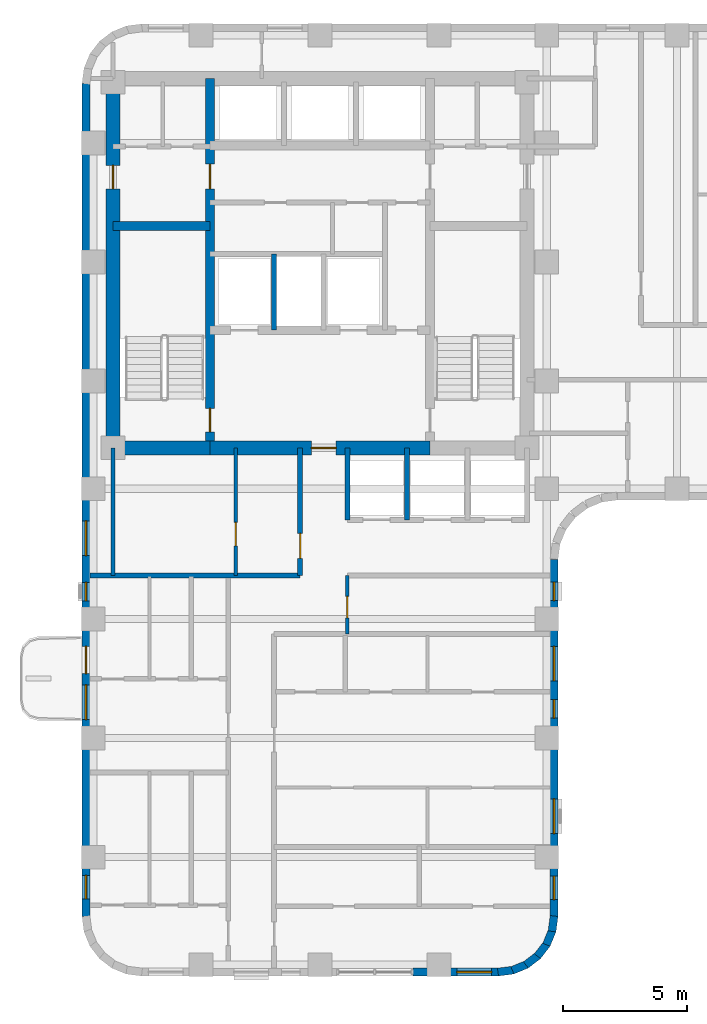
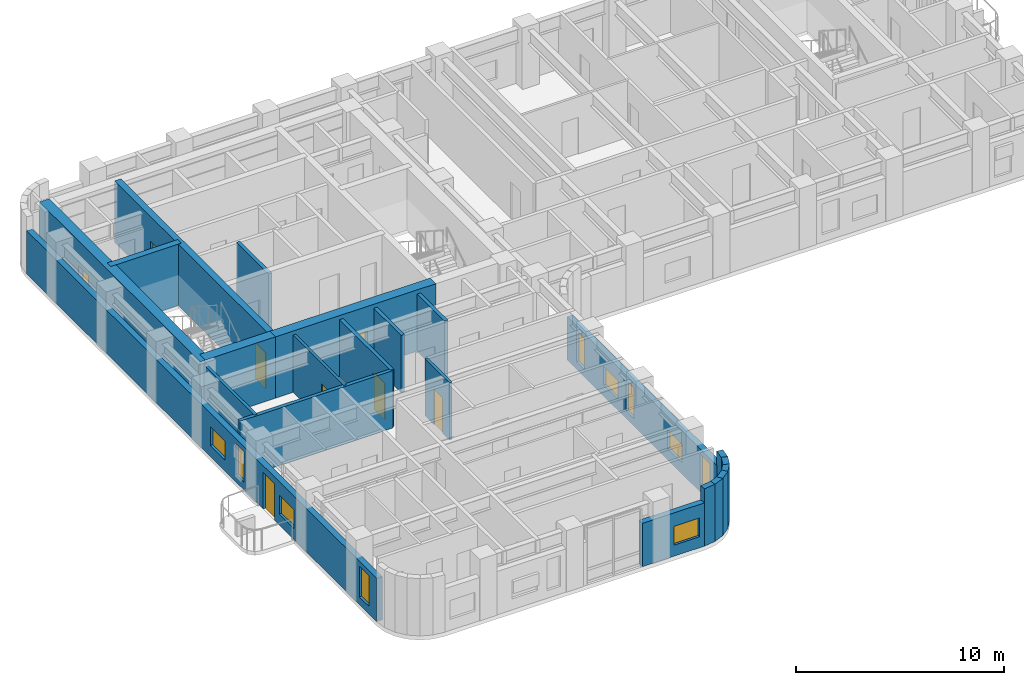
# One storey, part 5 of 11: 22 walls, 10 windows, 8 doors, 18 openings.
"""IFC4 building model written with IfcOpenShell, lengths in metres."""

import ifcopenshell
import ifcopenshell.guid

model = None  # the IFC model being written
_history = None  # IfcOwnerHistory: only IFC2X3 demands one
_inside = {}  # id of a spatial element -> (the spatial element, [elements in it])
_under = {}  # id of a project, library or spatial element -> (it, [spatial elements below it])
_declared = {}  # id of a project -> (the project, [libraries it declares])
_typed = {}  # id of a type object -> (the type object, [elements of that type])
_made_of = {}  # id of a material, layer set ... -> (it, [elements and type objects made of it])


def new_model(schema):
    """Start an empty IFC model of exactly this schema.

    Asked for "IFC4X3", IfcOpenShell would pick the latest addendum, in which some entities
    have other attributes; the version numbers below select the first issue.
    IFC2X3 requires an IfcOwnerHistory on every rooted entity: one is made here for all.
    """
    global model, _history
    if schema == "IFC4X3":
        model = ifcopenshell.file(schema_version=(4, 3, 0, 0))
    else:
        model = ifcopenshell.file(schema=schema)
    _inside.clear()
    _under.clear()
    _declared.clear()
    _typed.clear()
    _made_of.clear()
    _history = None
    if model.schema == "IFC2X3":
        org = make("IfcOrganization", Name="unknown")
        user = make(
            "IfcPersonAndOrganization",
            ThePerson=make("IfcPerson", FamilyName="unknown"),
            TheOrganization=org,
        )
        app = make(
            "IfcApplication",
            ApplicationDeveloper=org,
            Version="unknown",
            ApplicationFullName="unknown",
            ApplicationIdentifier="unknown",
        )
        _history = make(
            "IfcOwnerHistory",
            OwningUser=user,
            OwningApplication=app,
            ChangeAction="ADDED",
            CreationDate=0,
        )
    return model


def make(cls, **values):
    """One entity of the class cls with the attributes given. An attribute that is None is left unset."""
    return model.create_entity(
        cls, **{name: value for name, value in values.items() if value is not None}
    )


def rooted(cls, **values):
    """An entity with a GlobalId (a new one), such as an element, a storey or a relation."""
    return make(cls, GlobalId=ifcopenshell.guid.new(), OwnerHistory=_history, **values)


def si_unit(unit_type, name, prefix=None):
    """IfcSIUnit, for example si_unit("LENGTHUNIT", "METRE", prefix="MILLI")."""
    return make("IfcSIUnit", UnitType=unit_type, Prefix=prefix, Name=name)


def assignment(units):
    """IfcUnitAssignment: the units of a project."""
    return None if units is None else make("IfcUnitAssignment", Units=units)


def point(xyz):
    """IfcCartesianPoint."""
    return None if xyz is None else make("IfcCartesianPoint", Coordinates=xyz)


def direction(xyz):
    """IfcDirection."""
    return None if xyz is None else make("IfcDirection", DirectionRatios=xyz)


def frame(location, z_axis=None, x_axis=None):
    """IfcAxis2Placement3D, a coordinate frame: its origin and axes. An axis left out is left unset."""
    return make(
        "IfcAxis2Placement3D",
        Location=point(location),
        Axis=direction(z_axis),
        RefDirection=direction(x_axis),
    )


def frame_2d(location, x_axis=None):
    """IfcAxis2Placement2D, a coordinate frame in the plane: its origin and x axis."""
    return make(
        "IfcAxis2Placement2D", Location=point(location), RefDirection=direction(x_axis)
    )


def origin():
    """The frame at (0, 0, 0) with its axes left unset."""
    return frame((0.0, 0.0, 0.0))


def place(relative_to, where):
    """IfcLocalPlacement: puts the frame where relative to a parent placement (None: the world)."""
    return make(
        "IfcLocalPlacement", PlacementRelTo=relative_to, RelativePlacement=where
    )


def context(
    kind, dimensions, precision=None, world=None, true_north=None, identifier=None
):
    """IfcGeometricRepresentationContext, for example the 3D "Model" context."""
    return make(
        "IfcGeometricRepresentationContext",
        ContextIdentifier=identifier,
        ContextType=kind,
        CoordinateSpaceDimension=dimensions,
        Precision=precision,
        WorldCoordinateSystem=world,
        TrueNorth=true_north,
    )


def subcontext(parent, identifier, kind, view, scale=None):
    """IfcGeometricRepresentationSubContext, for example "Body" below "Model"."""
    return make(
        "IfcGeometricRepresentationSubContext",
        ContextIdentifier=identifier,
        ContextType=kind,
        ParentContext=parent,
        TargetScale=scale,
        TargetView=view,
    )


def project(units=None, contexts=None):
    """IfcProject with its units and contexts."""
    return rooted(
        "IfcProject",
        Name="project",
        RepresentationContexts=contexts,
        UnitsInContext=assignment(units),
    )


def spatial(cls, under=None, at=None, **own):
    """A site, building, storey or space (cls), placed at a placement, below another one or the project."""
    s = rooted(cls, ObjectPlacement=at, **own)
    if under is not None:
        _under.setdefault(under.id(), (under, []))[1].append(s)
    return s


def profile(cls, at=None, kind="AREA", **sizes):
    """A parametric profile (cls). Its sizes go by their IFC names, for example OverallWidth=200.0."""
    return make(cls, ProfileType=kind, Position=at, **sizes)


def rectangle(**sizes):
    """IfcRectangleProfileDef."""
    return profile("IfcRectangleProfileDef", **sizes)


def extrude(swept, where, along, depth):
    """IfcExtrudedAreaSolid: the profile swept, set in the frame where, extruded along a direction by depth."""
    return make(
        "IfcExtrudedAreaSolid",
        SweptArea=swept,
        Position=where,
        ExtrudedDirection=direction(along),
        Depth=depth,
    )


def shape(context_of_items, identifier, shape_type, items):
    """IfcShapeRepresentation: the items that make up one representation, for example the "Body"."""
    return make(
        "IfcShapeRepresentation",
        ContextOfItems=context_of_items,
        RepresentationIdentifier=identifier,
        RepresentationType=shape_type,
        Items=items,
    )


def material(Name=None, Category=None):
    """IfcMaterial."""
    return make("IfcMaterial", Name=Name, Category=Category)


def layer(
    of_material, thickness, ventilated=None, Name=None, Category=None, Priority=None
):
    """IfcMaterialLayer: one layer of a wall or slab, of a material (None: an air gap)."""
    return make(
        "IfcMaterialLayer",
        Material=of_material,
        LayerThickness=thickness,
        IsVentilated=ventilated,
        Name=Name,
        Category=Category,
        Priority=Priority,
    )


def layer_set(layers, Name=None):
    """IfcMaterialLayerSet."""
    return make("IfcMaterialLayerSet", MaterialLayers=layers, LayerSetName=Name)


def made_of(thing, what):
    """Note that an element or type object is made of a material, layer set ...; save() writes the relation."""
    if what is not None:
        _made_of.setdefault(what.id(), (what, []))[1].append(thing)
    return thing


def type_object(cls, material=None, **own):
    """A type object (cls), such as IfcWallType, which elements share."""
    return made_of(rooted(cls, **own), material)


def element(
    cls,
    number,
    at=None,
    inside=None,
    cuts=None,
    type_object=None,
    material=None,
    context=None,
    identifier="Body",
    shape_type=None,
    held_by="IfcProductDefinitionShape",
    body=None,
    shapes=None,
    **own,
):
    """One element of the class cls, such as IfcWall. Its Tag is "e" and its number.

    at: its placement. inside: the storey or other place that contains it. cuts: it is an
    opening in that element (IfcRelVoidsElement). A single representation is given by context,
    identifier, shape_type and body (its items); several are given by shapes. held_by: the class
    of the entity that holds the representations. save() writes the other relations.
    """
    e = rooted(cls, Tag="e%d" % number, ObjectPlacement=at, **own)
    if body is not None:
        shapes = [shape(context, identifier, shape_type, body)]
    if shapes is not None:
        e.Representation = make(held_by, Representations=shapes)
    if inside is not None:
        _inside.setdefault(inside.id(), (inside, []))[1].append(e)
    if cuts is not None:
        rooted(
            "IfcRelVoidsElement", RelatingBuildingElement=cuts, RelatedOpeningElement=e
        )
    if type_object is not None:
        _typed.setdefault(type_object.id(), (type_object, []))[1].append(e)
    return made_of(e, material)


def fill(opening, filler):
    """IfcRelFillsElement: the door or window that sits in an opening."""
    return rooted(
        "IfcRelFillsElement",
        RelatingOpeningElement=opening,
        RelatedBuildingElement=filler,
    )


def aggregate(whole, parts):
    """IfcRelAggregates: a whole, such as a stair, and the parts it consists of."""
    return rooted("IfcRelAggregates", RelatingObject=whole, RelatedObjects=parts)


def save(model, path):
    """Write the relations noted so far, then the file.

    IfcRelAggregates (storeys below a building ...), IfcRelContainedInSpatialStructure (elements
    in a storey), IfcRelDefinesByType, IfcRelAssociatesMaterial and IfcRelDeclares: one each for
    every whole, place, type object, material and project.
    """
    for whole, parts in _under.values():
        aggregate(whole, parts)
    for where, things in _inside.values():
        rooted(
            "IfcRelContainedInSpatialStructure",
            RelatedElements=things,
            RelatingStructure=where,
        )
    for kind, things in _typed.values():
        rooted("IfcRelDefinesByType", RelatedObjects=things, RelatingType=kind)
    for what, things in _made_of.values():
        rooted("IfcRelAssociatesMaterial", RelatedObjects=things, RelatingMaterial=what)
    for by, libraries in _declared.values():
        rooted("IfcRelDeclares", RelatingContext=by, RelatedDefinitions=libraries)
    model.write(path)


model = new_model("IFC4")

# Units and contexts
model_context = context("Model", 3, precision=1e-05, world=origin(), true_north=direction((0.0, 1.0)))
body_context = subcontext(model_context, "Body", "Model", "MODEL_VIEW")
ifc_project = project(units=[si_unit("LENGTHUNIT", "METRE"), si_unit("AREAUNIT", "SQUARE_METRE"), si_unit("VOLUMEUNIT", "CUBIC_METRE"), si_unit("PLANEANGLEUNIT", "RADIAN"), si_unit("MASSUNIT", "GRAM", prefix="KILO")], contexts=[model_context])

# Site, building, storey
site_placement = place(None, origin())
site = spatial("IfcSite", under=ifc_project, at=site_placement, CompositionType="ELEMENT")
building_placement = place(site_placement, origin())
building = spatial("IfcBuilding", under=site, at=building_placement, Name="Orvandelia Arch Residences", CompositionType="ELEMENT")
storey_placement = place(building_placement, frame((0.0, 0.0, 125.199951171875)))
storey = spatial("IfcBuildingStorey", under=building, at=storey_placement, Name="L32", CompositionType="ELEMENT", Elevation=125.199951171875)

# Wall, openings, doors
ifc_material_1 = material(Name="Concrete C50/60", Category="concrete")
ifc_layer_1 = layer(ifc_material_1, 0.35009765625, Name="Concrete C50/60", Category="concrete")
ifc_layer_set_1 = layer_set([ifc_layer_1], Name="Concrete C50/60")
wall_type_1 = type_object("IfcWallType", Name="WL-CORE-350", PredefinedType="SHEAR", material=ifc_layer_set_1)
wall_1_placement = place(storey_placement, frame((9.9599609375, 30.89990234375, 0.0), z_axis=(0.0, 0.0, 1.0), x_axis=(0.0, 1.0, 0.0)))
wall_1 = element("IfcWall", 1, at=wall_1_placement, inside=storey, type_object=wall_type_1, Name="Core Shear Wall L32-WEB1", PredefinedType="SHEAR", context=body_context, shape_type="SweptSolid", body=[
    extrude(rectangle(XDim=14.900146484375, YDim=0.35009765625, at=frame_2d((7.4501953125, 0.0))), origin(), (0.0, 0.0, 1.0), 3.60009765625),
])
opening_1_placement = place(wall_1_placement, frame((0.64990234375, 0.0, 0.0)))
opening_1 = element("IfcOpeningElement", 2, at=opening_1_placement, cuts=wall_1, Name="Opening D7", PredefinedType="OPENING", context=body_context, shape_type="SweptSolid", body=[
    extrude(rectangle(XDim=0.949951171875, YDim=2.10009765625, at=frame_2d((0.47509765625, 1.050048828125))), frame((0.0, 0.18505859375, 0.0), z_axis=(0.0, -1.0, 0.0), x_axis=(1.0, 0.0, 0.0)), (0.0, 0.0, 1.0), 0.3701171875),
])
opening_2_placement = place(wall_1_placement, frame((10.449951171875, 0.0, 0.0)))
opening_2 = element("IfcOpeningElement", 3, at=opening_2_placement, cuts=wall_1, Name="Opening D6", PredefinedType="OPENING", context=body_context, shape_type="SweptSolid", body=[
    extrude(rectangle(XDim=1.0, YDim=2.14990234375, at=frame_2d((0.5, 1.074951171875))), frame((0.0, 0.18505859375, 0.0), z_axis=(0.0, -1.0, 0.0), x_axis=(1.0, 0.0, 0.0)), (0.0, 0.0, 1.0), 0.3701171875),
])
ifc_material_2 = material(Name="Smokeproof Painted Steel Fire Door", Category="steel")
door_type_1 = type_object("IfcDoorType", Name="DR-FD60-1000", OperationType="NOTDEFINED", PredefinedType="DOOR", material=ifc_material_2)
door_1_placement = place(opening_2_placement, origin())
door_1 = element("IfcDoor", 4, at=door_1_placement, inside=storey, type_object=door_type_1, Name="High-Rise Lift Hall West Vestibule Door L32", OperationType="SINGLE_SWING_LEFT", OverallHeight=2.14990234375, OverallWidth=1.0, PredefinedType="DOOR", context=body_context, shape_type="SweptSolid", body=[
    extrude(rectangle(XDim=1.0, YDim=2.14990234375, at=frame_2d((0.5, 1.074951171875))), frame((0.0, 0.02490234375, 0.0), z_axis=(0.0, -1.0, 0.0), x_axis=(1.0, 0.0, 0.0)), (0.0, 0.0, 1.0), 0.050048828125),
])
fill(opening_2, door_1)
ifc_material_3 = material(Name="Pressurised Stairwell Fire Door")
door_type_2 = type_object("IfcDoorType", Name="DR-STAIR-950", OperationType="NOTDEFINED", PredefinedType="DOOR", material=ifc_material_3)
door_2_placement = place(opening_1_placement, origin())
door_2 = element("IfcDoor", 5, at=door_2_placement, inside=storey, type_object=door_type_2, Name="Stairwell ST-1 Fire Door L32", OperationType="SINGLE_SWING_LEFT", OverallHeight=2.10009765625, OverallWidth=0.949951171875, PredefinedType="DOOR", context=body_context, shape_type="SweptSolid", body=[
    extrude(rectangle(XDim=0.949951171875, YDim=2.10009765625, at=frame_2d((0.47509765625, 1.050048828125))), frame((0.0, 0.02490234375, 0.0), z_axis=(0.0, -1.0, 0.0), x_axis=(1.0, 0.0, 0.0)), (0.0, 0.0, 1.0), 0.050048828125),
])
fill(opening_1, door_2)

# Wall
wall_2_placement = place(storey_placement, frame((6.050048828125, 39.85009765625, 0.0), z_axis=(0.0, 0.0, 1.0), x_axis=(1.0, 0.0, 0.0)))
element("IfcWall", 6, at=wall_2_placement, inside=storey, type_object=wall_type_1, Name="Core Shear Wall L32-HZ1", PredefinedType="SHEAR", context=body_context, shape_type="SweptSolid", body=[
    extrude(rectangle(XDim=3.909912109375, YDim=0.35009765625, at=frame_2d((1.955078125, 0.0))), origin(), (0.0, 0.0, 1.0), 3.60009765625),
])

# Wall, opening, door
ifc_material_4 = material(Name="Concrete C60/75", Category="concrete")
ifc_layer_2 = layer(ifc_material_4, 0.550048828125, Name="Concrete C60/75", Category="concrete")
ifc_layer_set_2 = layer_set([ifc_layer_2], Name="Concrete C60/75")
wall_type_2 = type_object("IfcWallType", Name="WL-CORE-550", PredefinedType="SHEAR", material=ifc_layer_set_2)
wall_3_placement = place(storey_placement, frame((6.050048828125, 30.625, 0.0), z_axis=(0.0, 0.0, 1.0), x_axis=(0.0, 1.0, 0.0)))
wall_3 = element("IfcWall", 7, at=wall_3_placement, inside=storey, type_object=wall_type_2, Name="Core Shear Wall L32-W", PredefinedType="SHEAR", context=body_context, shape_type="SweptSolid", body=[
    extrude(rectangle(XDim=15.449951171875, YDim=0.550048828125, at=frame_2d((7.72509765625, 0.0))), origin(), (0.0, 0.0, 1.0), 3.60009765625),
])
opening_3_placement = place(wall_3_placement, frame((10.72509765625, 0.0, 0.0)))
opening_3 = element("IfcOpeningElement", 8, at=opening_3_placement, cuts=wall_3, Name="Opening D2", PredefinedType="OPENING", context=body_context, shape_type="SweptSolid", body=[
    extrude(rectangle(XDim=0.949951171875, YDim=2.14990234375, at=frame_2d((0.47509765625, 1.074951171875))), frame((0.0, 0.28515625, 0.0), z_axis=(0.0, -1.0, 0.0), x_axis=(1.0, 0.0, 0.0)), (0.0, 0.0, 1.0), 0.570068359375),
])
ifc_material_5 = material(Name="Solid-Core Timber Interior Fire Door", Category="wood")
door_type_3 = type_object("IfcDoorType", Name="DR-APT-950", OperationType="NOTDEFINED", PredefinedType="DOOR", material=ifc_material_5)
door_3_placement = place(opening_3_placement, origin())
door_3 = element("IfcDoor", 9, at=door_3_placement, inside=storey, type_object=door_type_3, Name="West Viewing Study Door L32", OperationType="SINGLE_SWING_RIGHT", OverallHeight=2.14990234375, OverallWidth=0.949951171875, PredefinedType="DOOR", context=body_context, shape_type="SweptSolid", body=[
    extrude(rectangle(XDim=0.949951171875, YDim=2.14990234375, at=frame_2d((0.47509765625, 1.074951171875))), frame((0.0, 0.02490234375, 0.0), z_axis=(0.0, -1.0, 0.0), x_axis=(1.0, 0.0, 0.0)), (0.0, 0.0, 1.0), 0.050048828125),
])
fill(opening_3, door_3)

# Wall
wall_4_placement = place(storey_placement, frame((6.050048828125, 30.89990234375, 0.0), z_axis=(0.0, 0.0, 1.0), x_axis=(1.0, 0.0, 0.0)))
element("IfcWall", 10, at=wall_4_placement, inside=storey, type_object=wall_type_2, Name="Core Shear Wall L32-SW", PredefinedType="SHEAR", context=body_context, shape_type="SweptSolid", body=[
    extrude(rectangle(XDim=3.909912109375, YDim=0.550048828125, at=frame_2d((1.955078125, 0.0))), origin(), (0.0, 0.0, 1.0), 3.60009765625),
])

# Wall, opening, door
wall_5_placement = place(storey_placement, frame((9.9599609375, 30.89990234375, 0.0), z_axis=(0.0, 0.0, 1.0), x_axis=(1.0, 0.0, 0.0)))
wall_5 = element("IfcWall", 11, at=wall_5_placement, inside=storey, type_object=wall_type_2, Name="Core Shear Wall L32-SM", PredefinedType="SHEAR", context=body_context, shape_type="SweptSolid", body=[
    extrude(rectangle(XDim=8.880126953125, YDim=0.550048828125, at=frame_2d((4.43994140625, 0.0))), origin(), (0.0, 0.0, 1.0), 3.60009765625),
])
opening_4_placement = place(wall_5_placement, frame((4.090087890625, 0.0, 0.0)))
opening_4 = element("IfcOpeningElement", 12, at=opening_4_placement, cuts=wall_5, Name="Opening D6", PredefinedType="OPENING", context=body_context, shape_type="SweptSolid", body=[
    extrude(rectangle(XDim=1.0, YDim=2.14990234375, at=frame_2d((0.5, 1.074951171875))), frame((0.0, 0.28515625, 0.0), z_axis=(0.0, -1.0, 0.0), x_axis=(1.0, 0.0, 0.0)), (0.0, 0.0, 1.0), 0.570068359375),
])
door_4_placement = place(opening_4_placement, origin())
door_4 = element("IfcDoor", 13, at=door_4_placement, inside=storey, type_object=door_type_1, Name="Firefighting Lobby Smokeproof Door L32", OperationType="SINGLE_SWING_LEFT", OverallHeight=2.14990234375, OverallWidth=1.0, PredefinedType="DOOR", context=body_context, shape_type="SweptSolid", body=[
    extrude(rectangle(XDim=1.0, YDim=2.14990234375, at=frame_2d((0.5, 1.074951171875))), frame((0.0, 0.02490234375, 0.0), z_axis=(0.0, -1.0, 0.0), x_axis=(1.0, 0.0, 0.0)), (0.0, 0.0, 1.0), 0.050048828125),
])
fill(opening_4, door_4)

# Wall
ifc_material_6 = material(Name="Fire-Rated Corridor Partition")
ifc_layer_3 = layer(ifc_material_6, 0.199951171875, Name="Fire-Rated Corridor Partition")
ifc_layer_set_3 = layer_set([ifc_layer_3], Name="Fire-Rated Corridor Partition")
wall_type_3 = type_object("IfcWallType", Name="WL-CORR-200", PredefinedType="PARTITIONING", material=ifc_layer_set_3)
wall_6_placement = place(storey_placement, frame((5.1201171875, 25.75, 0.0), z_axis=(0.0, 0.0, 1.0), x_axis=(1.0, 0.0, 0.0)))
element("IfcWall", 14, at=wall_6_placement, inside=storey, type_object=wall_type_3, Name="Interior Partition Wall WL-L32-WLNK-N", PredefinedType="PARTITIONING", context=body_context, shape_type="SweptSolid", body=[
    extrude(rectangle(XDim=8.47998046875, YDim=0.199951171875, at=frame_2d((4.239990234375, 0.0))), origin(), (0.0, 0.0, 1.0), 3.360107421875),
])

# Wall, openings, windows
ifc_material_7 = material(Name="Precast concrete C40/50", Category="concrete")
ifc_layer_4 = layer(ifc_material_7, 0.320068359375, Name="Precast concrete C40/50", Category="concrete")
ifc_layer_set_4 = layer_set([ifc_layer_4], Name="Precast concrete C40/50")
wall_type_4 = type_object("IfcWallType", Name="WL-EXT-STONE-320", PredefinedType="STANDARD", material=ifc_layer_set_4)
wall_7_placement = place(storey_placement, frame((23.840087890625, 26.39990234375, 0.0), z_axis=(0.0, 0.0, 1.0), x_axis=(0.0, -1.0, 0.0)))
wall_7 = element("IfcWall", 15, at=wall_7_placement, inside=storey, type_object=wall_type_4, Name="Coral-Limestone Precast Facade Wall L32-028", PredefinedType="STANDARD", context=body_context, shape_type="SweptSolid", body=[
    extrude(rectangle(XDim=14.39990234375, YDim=0.320068359375, at=frame_2d((7.199951171875, 0.0))), origin(), (0.0, 0.0, 1.0), 2.5400390625),
])
opening_5_placement = place(wall_7_placement, frame((3.5, 0.0, 0.64990234375)))
opening_5 = element("IfcOpeningElement", 16, at=opening_5_placement, cuts=wall_7, Name="Opening W10", PredefinedType="OPENING", context=body_context, shape_type="SweptSolid", body=[
    extrude(rectangle(XDim=1.39990234375, YDim=1.10009765625, at=frame_2d((0.699951171875, 0.550048828125))), frame((0.0, 0.169921875, 0.0), z_axis=(0.0, -1.0, 0.0), x_axis=(1.0, 0.0, 0.0)), (0.0, 0.0, 1.0), 0.340087890625),
])
opening_6_placement = place(wall_7_placement, frame((9.653564453125, 0.0, 0.64990234375)))
opening_6 = element("IfcOpeningElement", 17, at=opening_6_placement, cuts=wall_7, Name="Opening W10", PredefinedType="OPENING", context=body_context, shape_type="SweptSolid", body=[
    extrude(rectangle(XDim=1.39990234375, YDim=1.10009765625, at=frame_2d((0.699951171875, 0.550048828125))), frame((0.0, 0.169921875, 0.0), z_axis=(0.0, -1.0, 0.0), x_axis=(1.0, 0.0, 0.0)), (0.0, 0.0, 1.0), 0.340087890625),
])
opening_7_placement = place(wall_7_placement, frame((12.767578125, 0.0, 0.449951171875)))
opening_7 = element("IfcOpeningElement", 18, at=opening_7_placement, cuts=wall_7, Name="Opening W4", PredefinedType="OPENING", context=body_context, shape_type="SweptSolid", body=[
    extrude(rectangle(XDim=0.949951171875, YDim=1.800048828125, at=frame_2d((0.47509765625, 0.89990234375))), frame((0.0, 0.169921875, 0.0), z_axis=(0.0, -1.0, 0.0), x_axis=(1.0, 0.0, 0.0)), (0.0, 0.0, 1.0), 0.340087890625),
])
opening_8_placement = place(wall_7_placement, frame((5.6474609375, 0.0, 0.449951171875)))
opening_8 = element("IfcOpeningElement", 19, at=opening_8_placement, cuts=wall_7, Name="Opening W11", PredefinedType="OPENING", context=body_context, shape_type="SweptSolid", body=[
    extrude(rectangle(XDim=0.75, YDim=1.800048828125, at=frame_2d((0.375, 0.89990234375))), frame((0.0, 0.169921875, 0.0), z_axis=(0.0, -1.0, 0.0), x_axis=(1.0, 0.0, 0.0)), (0.0, 0.0, 1.0), 0.340087890625),
])
opening_9_placement = place(wall_7_placement, frame((0.907470703125, 0.0, 0.449951171875)))
opening_9 = element("IfcOpeningElement", 20, at=opening_9_placement, cuts=wall_7, Name="Opening W11", PredefinedType="OPENING", context=body_context, shape_type="SweptSolid", body=[
    extrude(rectangle(XDim=0.75, YDim=1.800048828125, at=frame_2d((0.375, 0.89990234375))), frame((0.0, 0.169921875, 0.0), z_axis=(0.0, -1.0, 0.0), x_axis=(1.0, 0.0, 0.0)), (0.0, 0.0, 1.0), 0.340087890625),
])
ifc_material_8 = material(Name="Tempered Low-E Insulated Glazing", Category="glass")
window_type_1 = type_object("IfcWindowType", Name="WIN-BED-0750x1800", PartitioningType="SINGLE_PANEL", PredefinedType="WINDOW", material=ifc_material_8)
window_1_placement = place(opening_8_placement, origin())
window_1 = element("IfcWindow", 21, at=window_1_placement, inside=storey, type_object=window_type_1, Name="Recessed Punched Window L32-020", OverallHeight=1.800048828125, OverallWidth=0.75, PartitioningType="SINGLE_PANEL", PredefinedType="WINDOW", context=body_context, shape_type="SweptSolid", body=[
    extrude(rectangle(XDim=0.75, YDim=1.800048828125, at=frame_2d((0.375, 0.89990234375))), frame((0.0, 0.030029296875, 0.0), z_axis=(0.0, -1.0, 0.0), x_axis=(1.0, 0.0, 0.0)), (0.0, 0.0, 1.0), 0.06005859375),
])
fill(opening_8, window_1)
window_2_placement = place(opening_9_placement, origin())
window_2 = element("IfcWindow", 22, at=window_2_placement, inside=storey, type_object=window_type_1, Name="Recessed Punched Window L32-021", OverallHeight=1.800048828125, OverallWidth=0.75, PartitioningType="SINGLE_PANEL", PredefinedType="WINDOW", context=body_context, shape_type="SweptSolid", body=[
    extrude(rectangle(XDim=0.75, YDim=1.800048828125, at=frame_2d((0.375, 0.89990234375))), frame((0.0, 0.030029296875, 0.0), z_axis=(0.0, -1.0, 0.0), x_axis=(1.0, 0.0, 0.0)), (0.0, 0.0, 1.0), 0.06005859375),
])
fill(opening_9, window_2)
window_type_2 = type_object("IfcWindowType", Name="WIN-CLR-1400x1100", PartitioningType="SINGLE_PANEL", PredefinedType="WINDOW", material=ifc_material_8)
window_3_placement = place(opening_5_placement, origin())
window_3 = element("IfcWindow", 23, at=window_3_placement, inside=storey, type_object=window_type_2, Name="Recessed Punched Window L32-017", OverallHeight=1.10009765625, OverallWidth=1.39990234375, PartitioningType="SINGLE_PANEL", PredefinedType="WINDOW", context=body_context, shape_type="SweptSolid", body=[
    extrude(rectangle(XDim=1.39990234375, YDim=1.10009765625, at=frame_2d((0.699951171875, 0.550048828125))), frame((0.0, 0.030029296875, 0.0), z_axis=(0.0, -1.0, 0.0), x_axis=(1.0, 0.0, 0.0)), (0.0, 0.0, 1.0), 0.06005859375),
])
fill(opening_5, window_3)
window_4_placement = place(opening_6_placement, origin())
window_4 = element("IfcWindow", 24, at=window_4_placement, inside=storey, type_object=window_type_2, Name="Recessed Punched Window L32-018", OverallHeight=1.10009765625, OverallWidth=1.39990234375, PartitioningType="SINGLE_PANEL", PredefinedType="WINDOW", context=body_context, shape_type="SweptSolid", body=[
    extrude(rectangle(XDim=1.39990234375, YDim=1.10009765625, at=frame_2d((0.699951171875, 0.550048828125))), frame((0.0, 0.030029296875, 0.0), z_axis=(0.0, -1.0, 0.0), x_axis=(1.0, 0.0, 0.0)), (0.0, 0.0, 1.0), 0.06005859375),
])
fill(opening_6, window_4)
window_type_3 = type_object("IfcWindowType", Name="WIN-RES-0950x1800", PartitioningType="SINGLE_PANEL", PredefinedType="WINDOW", material=ifc_material_8)
window_5_placement = place(opening_7_placement, origin())
window_5 = element("IfcWindow", 25, at=window_5_placement, inside=storey, type_object=window_type_3, Name="Recessed Punched Window L32-019", OverallHeight=1.800048828125, OverallWidth=0.949951171875, PartitioningType="SINGLE_PANEL", PredefinedType="WINDOW", context=body_context, shape_type="SweptSolid", body=[
    extrude(rectangle(XDim=0.949951171875, YDim=1.800048828125, at=frame_2d((0.47509765625, 0.89990234375))), frame((0.0, 0.030029296875, 0.0), z_axis=(0.0, -1.0, 0.0), x_axis=(1.0, 0.0, 0.0)), (0.0, 0.0, 1.0), 0.06005859375),
])
fill(opening_7, window_5)

# Walls
wall_8_placement = place(storey_placement, frame((23.84130859375, 12.02099609375, 0.0), z_axis=(0.0, 0.0, 1.0), x_axis=(-0.130504898859, -0.991447664465, 0.0)))
element("IfcWall", 26, at=wall_8_placement, inside=storey, type_object=wall_type_4, Name="Coral-Limestone Precast Facade Wall L32-029", PredefinedType="STANDARD", context=body_context, shape_type="SweptSolid", body=[
    extrude(rectangle(XDim=0.626708984375, YDim=0.320068359375, at=frame_2d((0.3134765625, 0.0))), origin(), (0.0, 0.0, 1.0), 3.360107421875),
])
for number, where, z_axis, x_axis, name in (
    (27, (23.7705078125, 11.43994140625, 0.0), (0.0, 0.0, 1.0), (-0.382650053678, -0.92389335771, 0.0), "Coral-Limestone Precast Facade Wall L32-030"),
    (28, (23.551513671875, 10.8974609375, 0.0), (0.0, 0.0, 1.0), (-0.608693302629, -0.793405610854, 0.0), "Coral-Limestone Precast Facade Wall L32-031"),
    (29, (23.19970703125, 10.4296875, 0.0), (0.0, 0.0, 1.0), (-0.793405610854, -0.608693302629, 0.0), "Coral-Limestone Precast Facade Wall L32-032"),
    (30, (22.73876953125, 10.0693359375, 0.0), (0.0, 0.0, 1.0), (-0.92389335771, -0.382650053678, 0.0), "Coral-Limestone Precast Facade Wall L32-033"),
    (31, (22.2001953125, 9.84033203125, 0.0), (0.0, 0.0, 1.0), (-0.9914410257, -0.130555323746, 0.0), "Coral-Limestone Precast Facade Wall L32-034"),
):
    element("IfcWall", number, at=place(storey_placement, frame(where, z_axis=z_axis, x_axis=x_axis)), inside=storey, type_object=wall_type_4, Name=name, PredefinedType="STANDARD", context=body_context, shape_type="SweptSolid", body=[
        extrude(rectangle(XDim=0.62646484375, YDim=0.320068359375, at=frame_2d((0.313232421875, 0.0))), origin(), (0.0, 0.0, 1.0), 3.360107421875),
    ])

# Wall, opening, window
wall_9_placement = place(storey_placement, frame((21.60009765625, 9.760009765625, 0.0), z_axis=(0.0, 0.0, 1.0), x_axis=(-1.0, 0.0, 0.0)))
wall_9 = element("IfcWall", 32, at=wall_9_placement, inside=storey, type_object=wall_type_4, Name="Coral-Limestone Precast Facade Wall L32-035", PredefinedType="STANDARD", context=body_context, shape_type="SweptSolid", body=[
    extrude(rectangle(XDim=3.440185546875, YDim=0.320068359375, at=frame_2d((1.72021484375, 0.0))), origin(), (0.0, 0.0, 1.0), 2.5400390625),
])
opening_10_placement = place(wall_9_placement, frame((0.282470703125, 0.0, 0.64990234375)))
opening_10 = element("IfcOpeningElement", 33, at=opening_10_placement, cuts=wall_9, Name="Opening W10", PredefinedType="OPENING", context=body_context, shape_type="SweptSolid", body=[
    extrude(rectangle(XDim=1.39990234375, YDim=1.10009765625, at=frame_2d((0.699951171875, 0.550048828125))), frame((0.0, 0.169921875, 0.0), z_axis=(0.0, -1.0, 0.0), x_axis=(1.0, 0.0, 0.0)), (0.0, 0.0, 1.0), 0.340087890625),
])
window_6_placement = place(opening_10_placement, origin())
window_6 = element("IfcWindow", 34, at=window_6_placement, inside=storey, type_object=window_type_2, Name="Recessed Punched Window L32-022", OverallHeight=1.10009765625, OverallWidth=1.39990234375, PartitioningType="SINGLE_PANEL", PredefinedType="WINDOW", context=body_context, shape_type="SweptSolid", body=[
    extrude(rectangle(XDim=1.39990234375, YDim=1.10009765625, at=frame_2d((0.699951171875, 0.550048828125))), frame((0.0, 0.030029296875, 0.0), z_axis=(0.0, -1.0, 0.0), x_axis=(1.0, 0.0, 0.0)), (0.0, 0.0, 1.0), 0.06005859375),
])
fill(opening_10, window_6)

# Wall, openings, door, windows
wall_10_placement = place(storey_placement, frame((4.9599609375, 12.0, 0.0), z_axis=(0.0, 0.0, 1.0), x_axis=(0.0, 1.0, 0.0)))
wall_10 = element("IfcWall", 35, at=wall_10_placement, inside=storey, type_object=wall_type_4, Name="Coral-Limestone Precast Facade Wall L32-043", PredefinedType="STANDARD", context=body_context, shape_type="SweptSolid", body=[
    extrude(rectangle(XDim=33.60009765625, YDim=0.320068359375, at=frame_2d((16.800048828125, 0.0))), origin(), (0.0, 0.0, 1.0), 2.5400390625),
])
opening_11_placement = place(wall_10_placement, frame((9.800048828125, 0.0, 0.0)))
opening_11 = element("IfcOpeningElement", 36, at=opening_11_placement, cuts=wall_10, Name="Opening BD1", PredefinedType="OPENING", context=body_context, shape_type="SweptSolid", body=[
    extrude(rectangle(XDim=1.10009765625, YDim=2.14990234375, at=frame_2d((0.550048828125, 1.074951171875))), frame((0.0, 0.169921875, 0.0), z_axis=(0.0, -1.0, 0.0), x_axis=(1.0, 0.0, 0.0)), (0.0, 0.0, 1.0), 0.340087890625),
])
opening_12_placement = place(wall_10_placement, frame((0.70849609375, 0.0, 0.449951171875)))
opening_12 = element("IfcOpeningElement", 37, at=opening_12_placement, cuts=wall_10, Name="Opening W4", PredefinedType="OPENING", context=body_context, shape_type="SweptSolid", body=[
    extrude(rectangle(XDim=0.949951171875, YDim=1.800048828125, at=frame_2d((0.47509765625, 0.89990234375))), frame((0.0, 0.169921875, 0.0), z_axis=(0.0, -1.0, 0.0), x_axis=(1.0, 0.0, 0.0)), (0.0, 0.0, 1.0), 0.340087890625),
])
opening_13_placement = place(wall_10_placement, frame((12.732421875, 0.0, 0.449951171875)))
opening_13 = element("IfcOpeningElement", 38, at=opening_13_placement, cuts=wall_10, Name="Opening W11", PredefinedType="OPENING", context=body_context, shape_type="SweptSolid", body=[
    extrude(rectangle(XDim=0.75, YDim=1.800048828125, at=frame_2d((0.375, 0.89990234375))), frame((0.0, 0.169921875, 0.0), z_axis=(0.0, -1.0, 0.0), x_axis=(1.0, 0.0, 0.0)), (0.0, 0.0, 1.0), 0.340087890625),
])
opening_14_placement = place(wall_10_placement, frame((7.939453125, 0.0, 0.64990234375)))
opening_14 = element("IfcOpeningElement", 39, at=opening_14_placement, cuts=wall_10, Name="Opening W10", PredefinedType="OPENING", context=body_context, shape_type="SweptSolid", body=[
    extrude(rectangle(XDim=1.39990234375, YDim=1.10009765625, at=frame_2d((0.699951171875, 0.550048828125))), frame((0.0, 0.169921875, 0.0), z_axis=(0.0, -1.0, 0.0), x_axis=(1.0, 0.0, 0.0)), (0.0, 0.0, 1.0), 0.340087890625),
])
opening_15_placement = place(wall_10_placement, frame((14.5576171875, 0.0, 0.64990234375)))
opening_15 = element("IfcOpeningElement", 40, at=opening_15_placement, cuts=wall_10, Name="Opening W10", PredefinedType="OPENING", context=body_context, shape_type="SweptSolid", body=[
    extrude(rectangle(XDim=1.39990234375, YDim=1.10009765625, at=frame_2d((0.699951171875, 0.550048828125))), frame((0.0, 0.169921875, 0.0), z_axis=(0.0, -1.0, 0.0), x_axis=(1.0, 0.0, 0.0)), (0.0, 0.0, 1.0), 0.340087890625),
])
ifc_material_9 = material(Name="Thermally Broken Aluminium Glazed Door", Category="aluminium")
door_type_4 = type_object("IfcDoorType", Name="DR-BAL-GLAZ-1100", OperationType="NOTDEFINED", PredefinedType="DOOR", material=ifc_material_9)
door_5_placement = place(opening_11_placement, origin())
door_5 = element("IfcDoor", 41, at=door_5_placement, inside=storey, type_object=door_type_4, Name="Tree Balcony Glazed Door BAL-L32-W1", OperationType="SINGLE_SWING_RIGHT", OverallHeight=2.14990234375, OverallWidth=1.10009765625, PredefinedType="DOOR", context=body_context, shape_type="SweptSolid", body=[
    extrude(rectangle(XDim=1.10009765625, YDim=2.14990234375, at=frame_2d((0.550048828125, 1.074951171875))), frame((0.0, 0.02490234375, 0.0), z_axis=(0.0, -1.0, 0.0), x_axis=(1.0, 0.0, 0.0)), (0.0, 0.0, 1.0), 0.050048828125),
])
fill(opening_11, door_5)
window_7_placement = place(opening_13_placement, origin())
window_7 = element("IfcWindow", 42, at=window_7_placement, inside=storey, type_object=window_type_1, Name="Recessed Punched Window L32-027", OverallHeight=1.800048828125, OverallWidth=0.75, PartitioningType="SINGLE_PANEL", PredefinedType="WINDOW", context=body_context, shape_type="SweptSolid", body=[
    extrude(rectangle(XDim=0.75, YDim=1.800048828125, at=frame_2d((0.375, 0.89990234375))), frame((0.0, 0.030029296875, 0.0), z_axis=(0.0, -1.0, 0.0), x_axis=(1.0, 0.0, 0.0)), (0.0, 0.0, 1.0), 0.06005859375),
])
fill(opening_13, window_7)
window_8_placement = place(opening_14_placement, origin())
window_8 = element("IfcWindow", 43, at=window_8_placement, inside=storey, type_object=window_type_2, Name="Recessed Punched Window L32-028", OverallHeight=1.10009765625, OverallWidth=1.39990234375, PartitioningType="SINGLE_PANEL", PredefinedType="WINDOW", context=body_context, shape_type="SweptSolid", body=[
    extrude(rectangle(XDim=1.39990234375, YDim=1.10009765625, at=frame_2d((0.699951171875, 0.550048828125))), frame((0.0, 0.030029296875, 0.0), z_axis=(0.0, -1.0, 0.0), x_axis=(1.0, 0.0, 0.0)), (0.0, 0.0, 1.0), 0.06005859375),
])
fill(opening_14, window_8)
window_9_placement = place(opening_15_placement, origin())
window_9 = element("IfcWindow", 44, at=window_9_placement, inside=storey, type_object=window_type_2, Name="Recessed Punched Window L32-029", OverallHeight=1.10009765625, OverallWidth=1.39990234375, PartitioningType="SINGLE_PANEL", PredefinedType="WINDOW", context=body_context, shape_type="SweptSolid", body=[
    extrude(rectangle(XDim=1.39990234375, YDim=1.10009765625, at=frame_2d((0.699951171875, 0.550048828125))), frame((0.0, 0.030029296875, 0.0), z_axis=(0.0, -1.0, 0.0), x_axis=(1.0, 0.0, 0.0)), (0.0, 0.0, 1.0), 0.06005859375),
])
fill(opening_15, window_9)
window_10_placement = place(opening_12_placement, origin())
window_10 = element("IfcWindow", 45, at=window_10_placement, inside=storey, type_object=window_type_3, Name="Recessed Punched Window L32-026", OverallHeight=1.800048828125, OverallWidth=0.949951171875, PartitioningType="SINGLE_PANEL", PredefinedType="WINDOW", context=body_context, shape_type="SweptSolid", body=[
    extrude(rectangle(XDim=0.949951171875, YDim=1.800048828125, at=frame_2d((0.47509765625, 0.89990234375))), frame((0.0, 0.030029296875, 0.0), z_axis=(0.0, -1.0, 0.0), x_axis=(1.0, 0.0, 0.0)), (0.0, 0.0, 1.0), 0.06005859375),
])
fill(opening_12, window_10)

# Wall
ifc_material_10 = material(Name="Acoustic Gypsum Stud Partition")
ifc_layer_5 = layer(ifc_material_10, 0.14990234375, Name="Acoustic Gypsum Stud Partition")
ifc_layer_set_5 = layer_set([ifc_layer_5], Name="Acoustic Gypsum Stud Partition")
wall_type_5 = type_object("IfcWallType", Name="WL-PART-150", PredefinedType="PARTITIONING", material=ifc_layer_set_5)
wall_11_placement = place(storey_placement, frame((6.050048828125, 25.75, 0.0), z_axis=(0.0, 0.0, 1.0), x_axis=(0.0, 1.0, 0.0)))
element("IfcWall", 46, at=wall_11_placement, inside=storey, type_object=wall_type_5, Name="Interior Partition Wall WL-L32-B1REUSE-W", PredefinedType="PARTITIONING", context=body_context, shape_type="SweptSolid", body=[
    extrude(rectangle(XDim=5.14990234375, YDim=0.14990234375, at=frame_2d((2.574951171875, 0.0))), origin(), (0.0, 0.0, 1.0), 3.360107421875),
])

# Wall, opening, door
wall_12_placement = place(storey_placement, frame((11.0, 25.75, 0.0), z_axis=(0.0, 0.0, 1.0), x_axis=(0.0, 1.0, 0.0)))
wall_12 = element("IfcWall", 47, at=wall_12_placement, inside=storey, type_object=wall_type_5, Name="Interior Partition Wall WL-L32-B1R-M2", PredefinedType="PARTITIONING", context=body_context, shape_type="SweptSolid", body=[
    extrude(rectangle(XDim=5.14990234375, YDim=0.14990234375, at=frame_2d((2.574951171875, 0.0))), origin(), (0.0, 0.0, 1.0), 3.360107421875),
])
opening_16_placement = place(wall_12_placement, frame((1.199951171875, 0.0, 0.0)))
opening_16 = element("IfcOpeningElement", 48, at=opening_16_placement, cuts=wall_12, Name="Opening D2", PredefinedType="OPENING", context=body_context, shape_type="SweptSolid", body=[
    extrude(rectangle(XDim=0.949951171875, YDim=2.14990234375, at=frame_2d((0.47509765625, 1.074951171875))), frame((0.0, 0.0849609375, 0.0), z_axis=(0.0, -1.0, 0.0), x_axis=(1.0, 0.0, 0.0)), (0.0, 0.0, 1.0), 0.169921875),
])
door_6_placement = place(opening_16_placement, origin())
door_6 = element("IfcDoor", 49, at=door_6_placement, inside=storey, type_object=door_type_3, Name="DR-L32-B1RW", OperationType="SINGLE_SWING_LEFT", OverallHeight=2.14990234375, OverallWidth=0.949951171875, PredefinedType="DOOR", context=body_context, shape_type="SweptSolid", body=[
    extrude(rectangle(XDim=0.949951171875, YDim=2.14990234375, at=frame_2d((0.47509765625, 1.074951171875))), frame((0.0, 0.02490234375, 0.0), z_axis=(0.0, -1.0, 0.0), x_axis=(1.0, 0.0, 0.0)), (0.0, 0.0, 1.0), 0.050048828125),
])
fill(opening_16, door_6)

wall_13_placement = place(storey_placement, frame((15.5, 23.39990234375, 0.0), z_axis=(0.0, 0.0, 1.0), x_axis=(0.0, 1.0, 0.0)))
wall_13 = element("IfcWall", 50, at=wall_13_placement, inside=storey, type_object=wall_type_5, Name="Interior Partition Wall WL-L32-WLNK-E", PredefinedType="PARTITIONING", context=body_context, shape_type="SweptSolid", body=[
    extrude(rectangle(XDim=2.35009765625, YDim=0.14990234375, at=frame_2d((1.175048828125, 0.0))), origin(), (0.0, 0.0, 1.0), 3.360107421875),
])
opening_17_placement = place(wall_13_placement, frame((0.64990234375, 0.0, 0.0)))
opening_17 = element("IfcOpeningElement", 51, at=opening_17_placement, cuts=wall_13, Name="Opening D4", PredefinedType="OPENING", context=body_context, shape_type="SweptSolid", body=[
    extrude(rectangle(XDim=0.860107421875, YDim=2.10009765625, at=frame_2d((0.43017578125, 1.050048828125))), frame((0.0, 0.0849609375, 0.0), z_axis=(0.0, -1.0, 0.0), x_axis=(1.0, 0.0, 0.0)), (0.0, 0.0, 1.0), 0.169921875),
])
ifc_material_11 = material(Name="Moisture-Sealed Timber Bathroom Door", Category="wood")
door_type_5 = type_object("IfcDoorType", Name="DR-WET-900", OperationType="NOTDEFINED", PredefinedType="DOOR", material=ifc_material_11)
door_7_placement = place(opening_17_placement, origin())
door_7 = element("IfcDoor", 52, at=door_7_placement, inside=storey, type_object=door_type_5, Name="DR-L32-WLNKST", OperationType="SINGLE_SWING_RIGHT", OverallHeight=2.10009765625, OverallWidth=0.860107421875, PredefinedType="DOOR", context=body_context, shape_type="SweptSolid", body=[
    extrude(rectangle(XDim=0.860107421875, YDim=2.10009765625, at=frame_2d((0.43017578125, 1.050048828125))), frame((0.0, 0.02490234375, 0.0), z_axis=(0.0, -1.0, 0.0), x_axis=(1.0, 0.0, 0.0)), (0.0, 0.0, 1.0), 0.050048828125),
])
fill(opening_17, door_7)

# Wall
ifc_material_12 = material(Name="Fire-Rated Shaft Enclosure Wall")
ifc_layer_6 = layer(ifc_material_12, 0.199951171875, Name="Fire-Rated Shaft Enclosure Wall")
ifc_layer_set_6 = layer_set([ifc_layer_6], Name="Fire-Rated Shaft Enclosure Wall")
wall_type_6 = type_object("IfcWallType", Name="WL-SHAFT-200", PredefinedType="POLYGONAL", material=ifc_layer_set_6)
wall_14_placement = place(storey_placement, frame((12.550048828125, 35.64990234375, 0.0), z_axis=(0.0, 0.0, 1.0), x_axis=(0.0, 1.0, 0.0)))
element("IfcWall", 53, at=wall_14_placement, inside=storey, type_object=wall_type_6, Name="Interior Partition Wall WL-L32-FLM1", PredefinedType="POLYGONAL", context=body_context, shape_type="SweptSolid", body=[
    extrude(rectangle(XDim=3.070068359375, YDim=0.199951171875, at=frame_2d((1.53515625, 0.0))), origin(), (0.0, 0.0, 1.0), 3.360107421875),
])

# Wall, opening, door
wall_15_placement = place(storey_placement, frame((13.60009765625, 25.75, 0.0), z_axis=(0.0, 0.0, 1.0), x_axis=(0.0, 1.0, 0.0)))
wall_15 = element("IfcWall", 54, at=wall_15_placement, inside=storey, type_object=wall_type_6, Name="Interior Partition Wall WL-L32-B1REUSE-E", PredefinedType="POLYGONAL", context=body_context, shape_type="SweptSolid", body=[
    extrude(rectangle(XDim=5.14990234375, YDim=0.199951171875, at=frame_2d((2.574951171875, 0.0))), origin(), (0.0, 0.0, 1.0), 3.360107421875),
])
opening_18_placement = place(wall_15_placement, frame((0.699951171875, 0.0, 0.0)))
opening_18 = element("IfcOpeningElement", 55, at=opening_18_placement, cuts=wall_15, Name="Opening D6", PredefinedType="OPENING", context=body_context, shape_type="SweptSolid", body=[
    extrude(rectangle(XDim=1.0, YDim=2.14990234375, at=frame_2d((0.5, 1.074951171875))), frame((0.0, 0.10986328125, 0.0), z_axis=(0.0, -1.0, 0.0), x_axis=(1.0, 0.0, 0.0)), (0.0, 0.0, 1.0), 0.219970703125),
])
door_8_placement = place(opening_18_placement, origin())
door_8 = element("IfcDoor", 56, at=door_8_placement, inside=storey, type_object=door_type_1, Name="DR-L32-B1RE", OperationType="SINGLE_SWING_LEFT", OverallHeight=2.14990234375, OverallWidth=1.0, PredefinedType="DOOR", context=body_context, shape_type="SweptSolid", body=[
    extrude(rectangle(XDim=1.0, YDim=2.14990234375, at=frame_2d((0.5, 1.074951171875))), frame((0.0, 0.02490234375, 0.0), z_axis=(0.0, -1.0, 0.0), x_axis=(1.0, 0.0, 0.0)), (0.0, 0.0, 1.0), 0.050048828125),
])
fill(opening_18, door_8)

# Walls
for number, where, z_axis, x_axis, name in (
    (57, (15.5, 28.0, 0.0), (0.0, 0.0, 1.0), (0.0, 1.0, 0.0), "Interior Partition Wall WL-L32-BNKM-W"),
    (58, (17.89990234375, 28.0, 0.0), (0.0, 0.0, 1.0), (0.0, 1.0, 0.0), "Interior Partition Wall WL-L32-BNKMD-1789"),
):
    element("IfcWall", number, at=place(storey_placement, frame(where, z_axis=z_axis, x_axis=x_axis)), inside=storey, type_object=wall_type_6, Name=name, PredefinedType="POLYGONAL", context=body_context, shape_type="SweptSolid", body=[
        extrude(rectangle(XDim=2.89990234375, YDim=0.199951171875, at=frame_2d((1.449951171875, 0.0))), origin(), (0.0, 0.0, 1.0), 3.360107421875),
    ])

save(model, "model.ifc")
